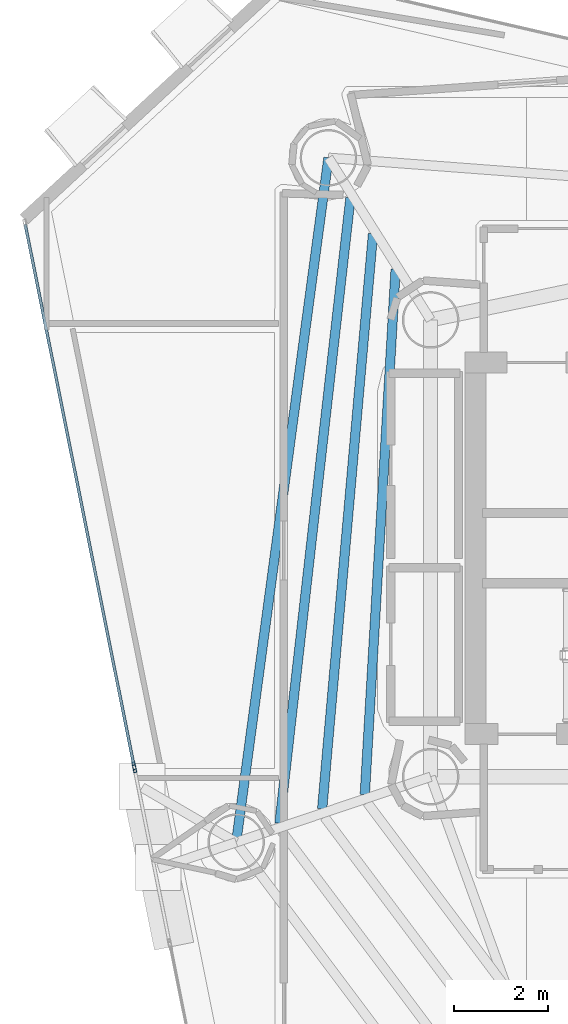
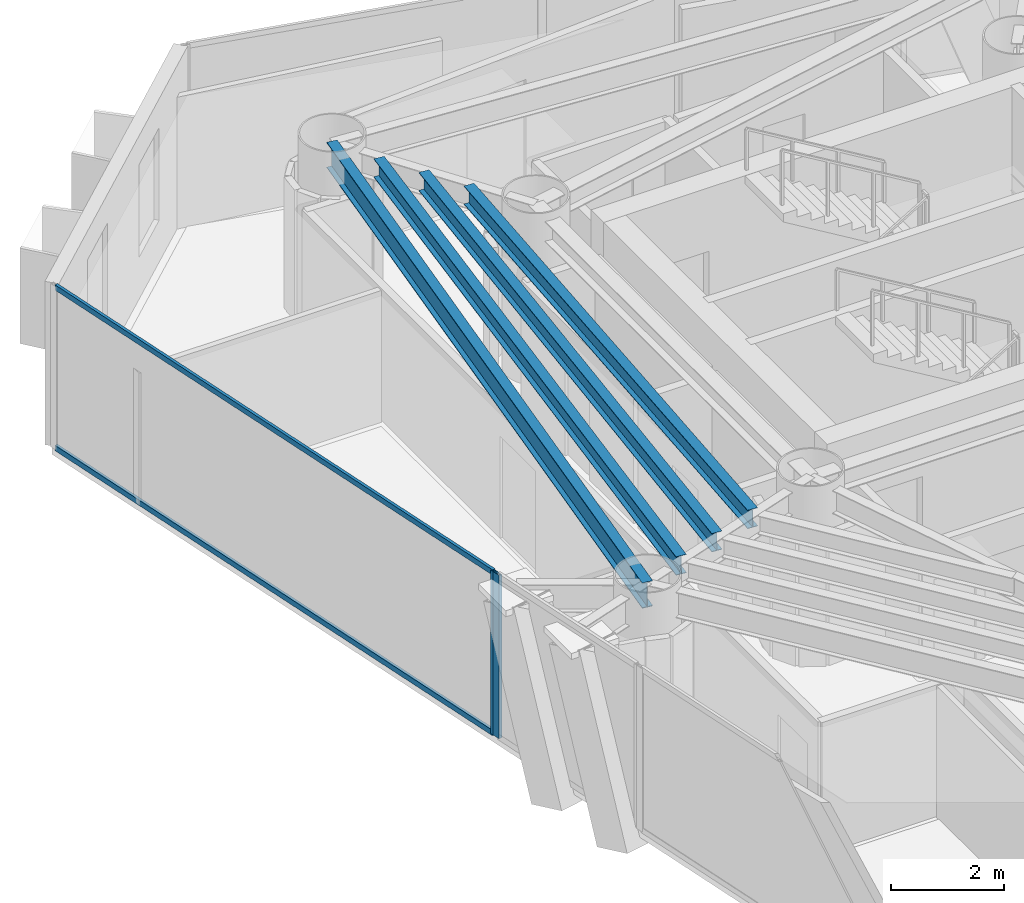
# One storey, part 8 of 22: 4 beams, 4 members, 2 elements without a shape of their own.
"""IFC4 building model written with IfcOpenShell, lengths in metres."""

from ifc_helpers import new_model, si_unit, direction, frame, origin, origin_2d, place, context, subcontext, project, spatial, hollow_rectangle, i_section, extrude, material, layer, layer_set, material_profile, profile_set, type_object, element, aggregate, save


model = new_model("IFC4")

# Units and contexts
model_context = context("Model", 3, precision=1e-05, world=origin(), true_north=direction((0.0, 1.0)))
body_context = subcontext(model_context, "Body", "Model", "MODEL_VIEW")
ifc_project = project(units=[si_unit("LENGTHUNIT", "METRE"), si_unit("AREAUNIT", "SQUARE_METRE"), si_unit("VOLUMEUNIT", "CUBIC_METRE"), si_unit("PLANEANGLEUNIT", "RADIAN"), si_unit("MASSUNIT", "GRAM", prefix="KILO")], contexts=[model_context])

# Site, building, storey
site_placement = place(None, origin())
site = spatial("IfcSite", under=ifc_project, at=site_placement, CompositionType="ELEMENT")
building_placement = place(site_placement, origin())
building = spatial("IfcBuilding", under=site, at=building_placement, Name="Qianvela Tower", CompositionType="ELEMENT")
storey_placement = place(building_placement, frame((0.0, 0.0, 196.60009765625)))
storey = spatial("IfcBuildingStorey", under=building, at=storey_placement, Name="L50", CompositionType="ELEMENT", Elevation=196.60009765625)

# Beams
ifc_material_1 = material(Name="Steel Q355B", Category="steel")
ifc_material_profile_1 = material_profile(ifc_material_1, i_section(OverallWidth=0.199951171875, OverallDepth=0.39990234375, WebThickness=0.008056640625, FlangeThickness=0.012939453125, at=origin_2d()), Name="HN400x200x8x13")
ifc_profile_set_1 = profile_set([ifc_material_profile_1], Name="Steel Q355B")
beam_type_1 = type_object("IfcBeamType", Name="BM-HN400-JOIST", PredefinedType="JOIST", material=ifc_profile_set_1)
beam_1_placement = place(storey_placement, frame((27.85693359375, 34.62451171875, 3.31787109375), z_axis=(-0.05861696358, -0.998280547532, 0.0), x_axis=(0.998280547532, -0.05861696358, 0.0)))
element("IfcBeam", 1, at=beam_1_placement, inside=storey, type_object=beam_type_1, Name="L50 Secondary Composite Floor Joist 3.1", PredefinedType="JOIST", context=body_context, shape_type="SweptSolid", body=[
    extrude(i_section(OverallWidth=0.199951171875, OverallDepth=0.39990234375, WebThickness=0.008056640625, FlangeThickness=0.012939453125, at=origin_2d()), origin(), (0.0, 0.0, 1.0), 11.170654296875),
])
beam_2_placement = place(storey_placement, frame((27.376953125, 35.3818359375, 3.31787109375), z_axis=(-0.088081491788, -0.996113272075, 0.0), x_axis=(0.996113272075, -0.088081491788, 0.0)))
element("IfcBeam", 2, at=beam_2_placement, inside=storey, type_object=beam_type_1, Name="L50 Secondary Composite Floor Joist 3.2", PredefinedType="JOIST", context=body_context, shape_type="SweptSolid", body=[
    extrude(i_section(OverallWidth=0.199951171875, OverallDepth=0.39990234375, WebThickness=0.008056640625, FlangeThickness=0.012939453125, at=origin_2d()), origin(), (0.0, 0.0, 1.0), 12.26220703125),
])
beam_3_placement = place(storey_placement, frame((26.8974609375, 36.139404296875, 3.31787109375), z_axis=(-0.112721124494, -0.993626664343, 0.0), x_axis=(0.993626664343, -0.112721124494, 0.0)))
element("IfcBeam", 3, at=beam_3_placement, inside=storey, type_object=beam_type_1, Name="L50 Secondary Composite Floor Joist 3.3", PredefinedType="JOIST", context=body_context, shape_type="SweptSolid", body=[
    extrude(i_section(OverallWidth=0.199951171875, OverallDepth=0.39990234375, WebThickness=0.008056640625, FlangeThickness=0.012939453125, at=origin_2d()), origin(), (0.0, 0.0, 1.0), 13.363525390625),
])
ifc_material_2 = material(Name="Steel Q355B", Category="steel")
ifc_material_profile_2 = material_profile(ifc_material_2, i_section(OverallWidth=0.199951171875, OverallDepth=0.550048828125, WebThickness=0.010009765625, FlangeThickness=0.01611328125, at=origin_2d()), Name="HN550x200x10x16")
ifc_profile_set_2 = profile_set([ifc_material_profile_2], Name="Steel Q355B")
beam_type_2 = type_object("IfcBeamType", Name="BM-HN550-GIRD", PredefinedType="BEAM", material=ifc_profile_set_2)
beam_4_placement = place(storey_placement, frame((26.430908203125, 36.991943359375, 3.242919921875), z_axis=(-0.133596613255, -0.991035793968, 0.0), x_axis=(0.991035793968, -0.133596613255, 0.0)))
element("IfcBeam", 4, at=beam_4_placement, inside=storey, type_object=beam_type_2, Name="L50 Perimeter Ring Spandrel Girder 3", PredefinedType="BEAM", context=body_context, shape_type="SweptSolid", body=[
    extrude(i_section(OverallWidth=0.199951171875, OverallDepth=0.550048828125, WebThickness=0.010009765625, FlangeThickness=0.01611328125, at=origin_2d()), origin(), (0.0, 0.0, 1.0), 14.663330078125),
])

# Curtain wall, member
ifc_material_3 = material(Name="Anodised Architectural Aluminium and Insulated Spandrel Panel", Category="aluminium")
ifc_layer_1 = layer(ifc_material_3, 0.179931640625)
ifc_layer_set_1 = layer_set([ifc_layer_1], Name="Anodised Architectural Aluminium and Insulated Spandrel Panel")
curtain_wall_type_1 = type_object("IfcCurtainWallType", Name="CW-BRACEBAY", PredefinedType="USERDEFINED", material=ifc_layer_set_1)
curtain_wall_1_placement = place(storey_placement, origin())
curtain_wall_1 = element("IfcCurtainWall", 5, at=curtain_wall_1_placement, inside=storey, type_object=curtain_wall_type_1, Name="L50 CW-BRACEBAY Curtain Wall 04B", ObjectType="CURTAIN_WALL_SYSTEM", PredefinedType="USERDEFINED")
ifc_material_4 = material(Name="Anodised Architectural Aluminium 6063-T6", Category="aluminium")
ifc_material_profile_3 = material_profile(ifc_material_4, hollow_rectangle(XDim=0.06494140625, YDim=0.159912109375, WallThickness=0.0048828125, at=origin_2d()), Name="ALU-MULL-65x160")
ifc_profile_set_3 = profile_set([ifc_material_profile_3], Name="Anodised Architectural Aluminium 6063-T6")
member_type_1 = type_object("IfcMemberType", Name="CW-BRACEBAY-MULL", PredefinedType="MULLION", material=ifc_profile_set_3)
member_1_placement = place(storey_placement, frame((22.314453125, 24.01904296875, 0.0), z_axis=(0.0, 0.0, 1.0), x_axis=(0.980409588589, 0.196969638782, 0.0)))
member_1 = element("IfcMember", 6, at=member_1_placement, type_object=member_type_1, Name="CW-9 mullion 1", PredefinedType="MULLION", context=body_context, shape_type="SweptSolid", body=[
    extrude(hollow_rectangle(XDim=0.06494140625, YDim=0.159912109375, WallThickness=0.0048828125, at=origin_2d()), origin(), (0.0, 0.0, 1.0), 3.52001953125),
])
aggregate(curtain_wall_1, [member_1])

# Curtain wall, members
ifc_material_5 = material(Name="Anodised Architectural Aluminium and Low-E Glass", Category="aluminium")
ifc_layer_2 = layer(ifc_material_5, 0.159912109375)
ifc_layer_set_2 = layer_set([ifc_layer_2], Name="Anodised Architectural Aluminium and Low-E Glass")
curtain_wall_type_2 = type_object("IfcCurtainWallType", Name="CW-COLIV-Z56", PredefinedType="USERDEFINED", material=ifc_layer_set_2)
curtain_wall_2_placement = place(storey_placement, origin())
curtain_wall_2 = element("IfcCurtainWall", 7, at=curtain_wall_2_placement, inside=storey, type_object=curtain_wall_type_2, Name="L50 CW-COLIV-Z56 Curtain Wall 04A", ObjectType="CURTAIN_WALL_SYSTEM", PredefinedType="USERDEFINED")
ifc_material_6 = material(Name="Anodised Architectural Aluminium 6063-T6", Category="aluminium")
ifc_material_profile_4 = material_profile(ifc_material_6, hollow_rectangle(XDim=0.06494140625, YDim=0.159912109375, WallThickness=0.0048828125, at=origin_2d()), Name="ALU-MULL-65x160")
ifc_profile_set_4 = profile_set([ifc_material_profile_4], Name="Anodised Architectural Aluminium 6063-T6")
member_type_2 = type_object("IfcMemberType", Name="CW-COLIV-Z56-MULL", PredefinedType="MULLION", material=ifc_profile_set_4)
member_2_placement = place(storey_placement, frame((22.3017578125, 24.082763671875, 0.0), z_axis=(0.0, 0.0, 1.0), x_axis=(0.980407510802, 0.196979980613, 0.0)))
member_2 = element("IfcMember", 8, at=member_2_placement, type_object=member_type_2, Name="CW-5 mullion 2", PredefinedType="MULLION", context=body_context, shape_type="SweptSolid", body=[
    extrude(hollow_rectangle(XDim=0.06494140625, YDim=0.159912109375, WallThickness=0.0048828125, at=origin_2d()), origin(), (0.0, 0.0, 1.0), 3.52001953125),
])
ifc_material_7 = material(Name="Anodised Architectural Aluminium 6063-T6", Category="aluminium")
ifc_material_profile_5 = material_profile(ifc_material_7, hollow_rectangle(XDim=0.06005859375, YDim=0.114990234375, WallThickness=0.00390625, at=origin_2d()), Name="ALU-TRAN-60x115")
ifc_profile_set_5 = profile_set([ifc_material_profile_5], Name="Anodised Architectural Aluminium 6063-T6")
member_type_3 = type_object("IfcMemberType", Name="CW-COLIV-Z56-TRAN", PredefinedType="USERDEFINED", material=ifc_profile_set_5)
member_3_placement = place(storey_placement, frame((19.99267578125, 35.57568359375, 0.02978515625), z_axis=(0.196983572656, -0.980406789095, 0.0), x_axis=(0.980406789095, 0.196983572656, 0.0)))
member_3 = element("IfcMember", 9, at=member_3_placement, type_object=member_type_3, Name="CW-5 transom 1.1", ObjectType="TRANSOM", PredefinedType="USERDEFINED", context=body_context, shape_type="SweptSolid", body=[
    extrude(hollow_rectangle(XDim=0.06005859375, YDim=0.114990234375, WallThickness=0.00390625, at=origin_2d()), origin(), (0.0, 0.0, 1.0), 11.68994140625),
])
member_4_placement = place(storey_placement, frame((19.99267578125, 35.57568359375, 3.489990234375), z_axis=(0.196983572656, -0.980406789095, 0.0), x_axis=(0.980406789095, 0.196983572656, 0.0)))
member_4 = element("IfcMember", 10, at=member_4_placement, type_object=member_type_3, Name="CW-5 transom 1.2", ObjectType="TRANSOM", PredefinedType="USERDEFINED", context=body_context, shape_type="SweptSolid", body=[
    extrude(hollow_rectangle(XDim=0.06005859375, YDim=0.114990234375, WallThickness=0.00390625, at=origin_2d()), origin(), (0.0, 0.0, 1.0), 11.68994140625),
])
aggregate(curtain_wall_2, [member_2, member_3, member_4])

save(model, "model.ifc")
